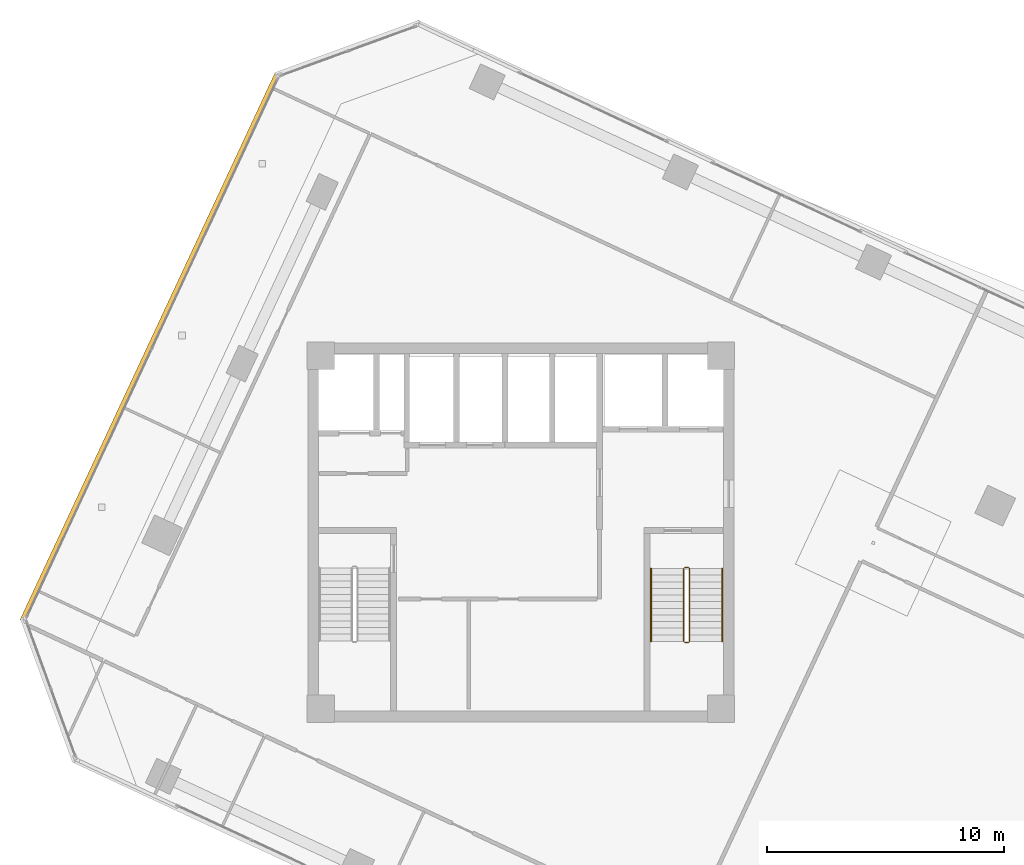
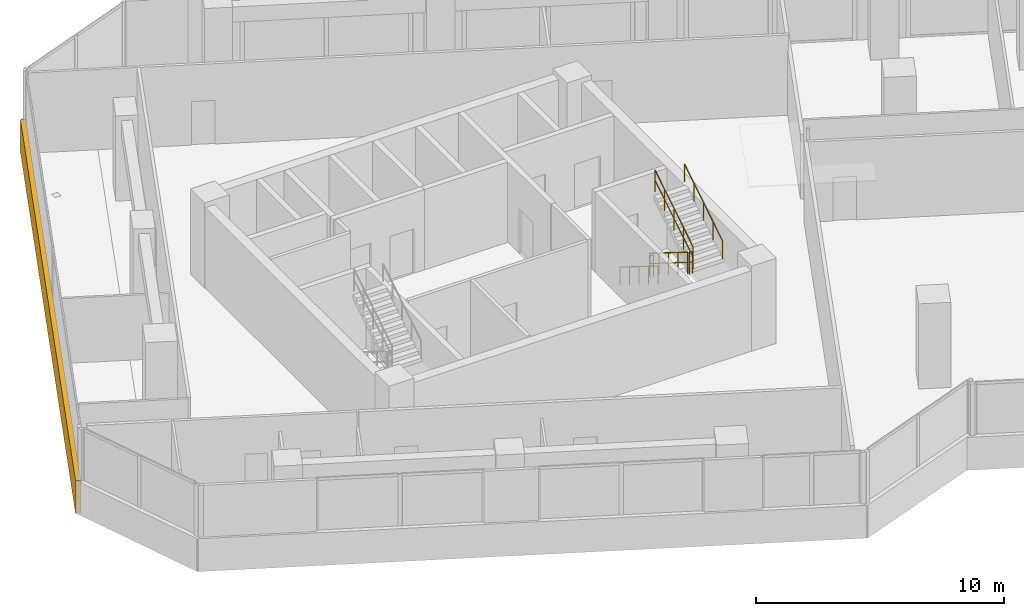
# One storey, part 21 of 23: 6 railings, 1 covering.
"""IFC4 building model written with IfcOpenShell, lengths in metres."""

from ifc_helpers import new_model, si_unit, direction, frame, origin, origin_2d, place, context, subcontext, project, spatial, rectangle, circle, extrude, source, transform, mapped, material, layer, layer_set, type_object, element, save


model = new_model("IFC4")

# Units and contexts
model_context = context("Model", 3, precision=1e-05, world=origin(), true_north=direction((0.0, 1.0)))
body_context = subcontext(model_context, "Body", "Model", "MODEL_VIEW")
ifc_project = project(units=[si_unit("LENGTHUNIT", "METRE"), si_unit("AREAUNIT", "SQUARE_METRE"), si_unit("VOLUMEUNIT", "CUBIC_METRE"), si_unit("PLANEANGLEUNIT", "RADIAN"), si_unit("MASSUNIT", "GRAM", prefix="KILO")], contexts=[model_context])

# Site, building, storey
site_placement = place(None, origin())
site = spatial("IfcSite", under=ifc_project, at=site_placement, CompositionType="ELEMENT")
building_placement = place(site_placement, origin())
building = spatial("IfcBuilding", under=site, at=building_placement, Name="Torre Montelarca", CompositionType="ELEMENT")
storey_placement = place(building_placement, frame((0.0, 0.0, 154.0)))
storey = spatial("IfcBuildingStorey", under=building, at=storey_placement, Name="L34", CompositionType="ELEMENT", Elevation=154.0)

# Railings
ifc_material_1 = material(Name="Powder-coated steel ASTM A500 Grade C", Category="steel")
railing_type_1 = type_object("IfcRailingType", Name="RL-GUARD-1100", PredefinedType="BALUSTRADE", material=ifc_material_1)
railing_1_placement = place(storey_placement, frame((24.8701171875, 30.469970703125, 0.175048828125)))
element("IfcRailing", 1, at=railing_1_placement, inside=storey, type_object=railing_type_1, Name="L34 ST2 stair guard 1", PredefinedType="BALUSTRADE", context=body_context, shape_type="SweptSolid", body=[
    extrude(circle(Radius=0.02392578125, at=origin_2d()), frame((0.0, 0.0, 1.076171875), z_axis=(0.0, -0.847998304005, 0.529998940003), x_axis=(1.0, 0.0, 0.0)), (0.0, 0.0, 1.0), 3.632080078125),
    extrude(circle(Radius=0.02099609375, at=origin_2d()), frame((0.0, 0.0, 0.572021484375), z_axis=(0.0, -0.847998304005, 0.529998940003), x_axis=(1.0, 0.0, 0.0)), (0.0, 0.0, 1.0), 3.632080078125),
    extrude(circle(Radius=0.02099609375, at=origin_2d()), origin(), (0.0, 0.0, 1.0), 1.052001953125),
    extrude(circle(Radius=0.02099609375, at=origin_2d()), frame((0.0, -0.77001953125, 0.481201171875)), (0.0, 0.0, 1.0), 1.052001953125),
    extrude(circle(Radius=0.02099609375, at=origin_2d()), frame((0.0, -1.5400390625, 0.96240234375)), (0.0, 0.0, 1.0), 1.052001953125),
    extrude(circle(Radius=0.02099609375, at=origin_2d()), frame((0.0, -2.31005859375, 1.44384765625)), (0.0, 0.0, 1.0), 1.052001953125),
    extrude(circle(Radius=0.02099609375, at=origin_2d()), frame((0.0, -3.080078125, 1.925048828125)), (0.0, 0.0, 1.0), 1.052001953125),
])
railing_2_placement = place(storey_placement, frame((24.919921875, 27.340087890625, 2.10009765625)))
element("IfcRailing", 2, at=railing_2_placement, inside=storey, type_object=railing_type_1, Name="L34 ST2 stair guard 2", PredefinedType="BALUSTRADE", context=body_context, shape_type="SweptSolid", body=[
    extrude(circle(Radius=0.02392578125, at=origin_2d()), frame((0.0, 0.0, 1.076171875), z_axis=(1.0, 0.0, 0.0), x_axis=(0.0, 1.0, 0.0)), (0.0, 0.0, 1.0), 0.150146484375),
    extrude(circle(Radius=0.02099609375, at=origin_2d()), frame((0.0, 0.0, 0.572021484375), z_axis=(1.0, 0.0, 0.0), x_axis=(0.0, 1.0, 0.0)), (0.0, 0.0, 1.0), 0.150146484375),
    extrude(circle(Radius=0.02099609375, at=origin_2d()), origin(), (0.0, 0.0, 1.0), 1.052001953125),
    extrude(circle(Radius=0.02099609375, at=origin_2d()), frame((0.150146484375, 0.0, 0.0)), (0.0, 0.0, 1.0), 1.052001953125),
])
railing_3_placement = place(storey_placement, frame((25.1201171875, 27.389892578125, 2.27490234375)))
element("IfcRailing", 3, at=railing_3_placement, inside=storey, type_object=railing_type_1, Name="L34 ST2 stair guard 3", PredefinedType="BALUSTRADE", context=body_context, shape_type="SweptSolid", body=[
    extrude(circle(Radius=0.02392578125, at=origin_2d()), frame((0.0, 0.0, 1.076171875), z_axis=(0.0, 0.847998304005, 0.529998940003), x_axis=(-1.0, 0.0, 0.0)), (0.0, 0.0, 1.0), 3.632080078125),
    extrude(circle(Radius=0.02099609375, at=origin_2d()), frame((0.0, 0.0, 0.572021484375), z_axis=(0.0, 0.847998304005, 0.529998940003), x_axis=(-1.0, 0.0, 0.0)), (0.0, 0.0, 1.0), 3.632080078125),
    extrude(circle(Radius=0.02099609375, at=origin_2d()), origin(), (0.0, 0.0, 1.0), 1.052001953125),
    extrude(circle(Radius=0.02099609375, at=origin_2d()), frame((0.0, 0.77001953125, 0.481201171875)), (0.0, 0.0, 1.0), 1.052001953125),
    extrude(circle(Radius=0.02099609375, at=origin_2d()), frame((0.0, 1.5400390625, 0.96240234375)), (0.0, 0.0, 1.0), 1.052001953125),
    extrude(circle(Radius=0.02099609375, at=origin_2d()), frame((0.0, 2.31005859375, 1.44384765625)), (0.0, 0.0, 1.0), 1.052001953125),
    extrude(circle(Radius=0.02099609375, at=origin_2d()), frame((0.0, 3.080078125, 1.925048828125)), (0.0, 0.0, 1.0), 1.052001953125),
])
railing_4_placement = place(storey_placement, frame((24.919921875, 30.52001953125, 0.0)))
element("IfcRailing", 4, at=railing_4_placement, inside=storey, type_object=railing_type_1, Name="L34 ST2 stair guard 4", PredefinedType="BALUSTRADE", context=body_context, shape_type="SweptSolid", body=[
    extrude(circle(Radius=0.02392578125, at=origin_2d()), frame((0.0, 0.0, 1.076171875), z_axis=(1.0, 0.0, 0.0), x_axis=(0.0, 1.0, 0.0)), (0.0, 0.0, 1.0), 0.150146484375),
    extrude(circle(Radius=0.02099609375, at=origin_2d()), frame((0.0, 0.0, 0.572021484375), z_axis=(1.0, 0.0, 0.0), x_axis=(0.0, 1.0, 0.0)), (0.0, 0.0, 1.0), 0.150146484375),
    extrude(circle(Radius=0.02099609375, at=origin_2d()), origin(), (0.0, 0.0, 1.0), 1.052001953125),
    extrude(circle(Radius=0.02099609375, at=origin_2d()), frame((0.150146484375, 0.0, 0.0)), (0.0, 0.0, 1.0), 1.052001953125),
])
ifc_material_2 = material(Name="Brushed stainless steel AISI 316", Category="steel")
railing_type_2 = type_object("IfcRailingType", Name="RL-HANDRAIL-900", PredefinedType="HANDRAIL", material=ifc_material_2)
railing_5_placement = place(storey_placement, frame((23.489990234375, 30.469970703125, 0.175048828125)))
element("IfcRailing", 5, at=railing_5_placement, inside=storey, type_object=railing_type_2, Name="L34 ST2 stair handrail 1", PredefinedType="HANDRAIL", context=body_context, shape_type="SweptSolid", body=[
    extrude(circle(Radius=0.02392578125, at=origin_2d()), frame((0.0, 0.0, 0.8759765625), z_axis=(0.0, -0.847998304005, 0.529998940003), x_axis=(1.0, 0.0, 0.0)), (0.0, 0.0, 1.0), 3.632080078125),
    extrude(circle(Radius=0.02099609375, at=origin_2d()), origin(), (0.0, 0.0, 1.0), 0.851806640625),
    extrude(circle(Radius=0.02099609375, at=origin_2d()), frame((0.0, -0.77001953125, 0.481201171875)), (0.0, 0.0, 1.0), 0.851806640625),
    extrude(circle(Radius=0.02099609375, at=origin_2d()), frame((0.0, -1.5400390625, 0.96240234375)), (0.0, 0.0, 1.0), 0.851806640625),
    extrude(circle(Radius=0.02099609375, at=origin_2d()), frame((0.0, -2.31005859375, 1.44384765625)), (0.0, 0.0, 1.0), 0.851806640625),
    extrude(circle(Radius=0.02099609375, at=origin_2d()), frame((0.0, -3.080078125, 1.925048828125)), (0.0, 0.0, 1.0), 0.851806640625),
])
railing_6_placement = place(storey_placement, frame((26.5, 27.389892578125, 2.27490234375)))
element("IfcRailing", 6, at=railing_6_placement, inside=storey, type_object=railing_type_2, Name="L34 ST2 stair handrail 2", PredefinedType="HANDRAIL", context=body_context, shape_type="SweptSolid", body=[
    extrude(circle(Radius=0.02392578125, at=origin_2d()), frame((0.0, 0.0, 0.8759765625), z_axis=(0.0, 0.847998304005, 0.529998940003), x_axis=(-1.0, 0.0, 0.0)), (0.0, 0.0, 1.0), 3.632080078125),
    extrude(circle(Radius=0.02099609375, at=origin_2d()), origin(), (0.0, 0.0, 1.0), 0.851806640625),
    extrude(circle(Radius=0.02099609375, at=origin_2d()), frame((0.0, 0.77001953125, 0.481201171875)), (0.0, 0.0, 1.0), 0.851806640625),
    extrude(circle(Radius=0.02099609375, at=origin_2d()), frame((0.0, 1.5400390625, 0.96240234375)), (0.0, 0.0, 1.0), 0.851806640625),
    extrude(circle(Radius=0.02099609375, at=origin_2d()), frame((0.0, 2.31005859375, 1.44384765625)), (0.0, 0.0, 1.0), 0.851806640625),
    extrude(circle(Radius=0.02099609375, at=origin_2d()), frame((0.0, 3.080078125, 1.925048828125)), (0.0, 0.0, 1.0), 0.851806640625),
])

# Covering
ifc_material_3 = material(Name="Bush-hammered warm white precast concrete C45/55", Category="concrete")
ifc_layer = layer(ifc_material_3, 0.139892578125, Name="Bush-hammered warm white precast concrete C45/55", Category="concrete")
ifc_layer_set = layer_set([ifc_layer], Name="Bush-hammered warm white precast concrete C45/55")
covering_type = type_object("IfcCoveringType", Name="COV-TRAY-CLAD", PredefinedType="CLADDING", material=ifc_layer_set)
shared_shape = source(origin(), body_context, "Body", "SweptSolid", [
    extrude(rectangle(XDim=25.52001953125, YDim=0.219970703125, at=origin_2d()), origin(), (0.0, 0.0, 1.0), 1.6201171875),
])
covering_placement = place(storey_placement, frame((2.343994140625, 39.8291015625, -0.449951171875), z_axis=(0.0, 0.0, 1.0), x_axis=(-0.422618261741, -0.906307787037, 0.0)))
element("IfcCovering", 7, at=covering_placement, inside=storey, type_object=covering_type, Name="L34 Architectural White Spandrel Tray Band TRYBOT-10", PredefinedType="CLADDING", context=body_context, shape_type="MappedRepresentation", body=[
    mapped(shared_shape, transform((0.0, 0.0, 0.0), scale=1.0)),
])

save(model, "model.ifc")
